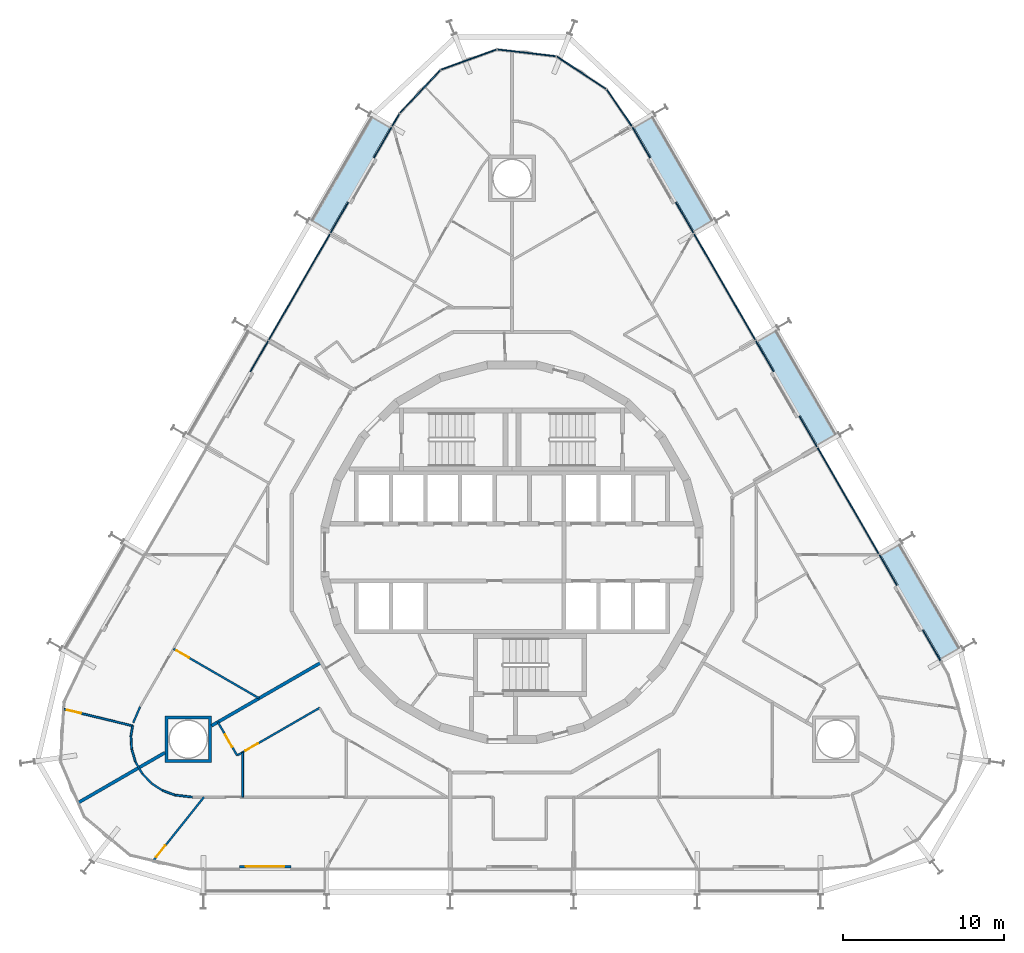
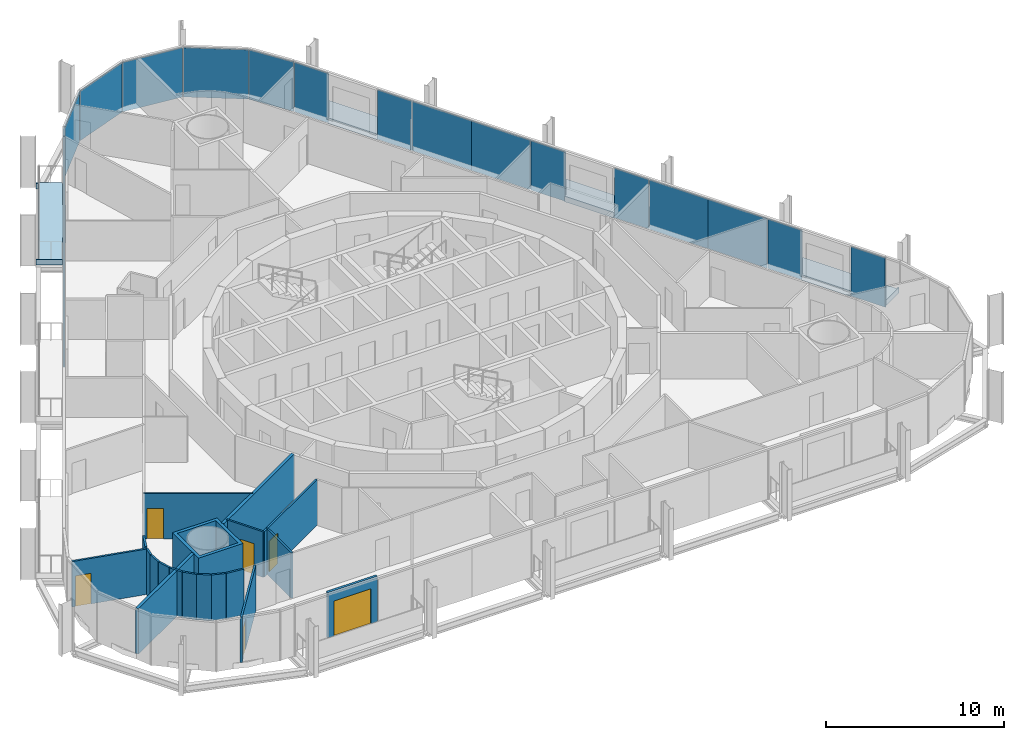
# One storey, part 12 of 20: 21 plates, 19 walls, 6 doors, 4 slabs, 6 openings, 3 elements without a shape of their own.
"""IFC4 building model written with IfcOpenShell, lengths in metres."""

from ifc_helpers import new_model, si_unit, direction, frame, frame_2d, origin, origin_2d, place, context, subcontext, project, spatial, polyline, rectangle, outline, extrude, material, layer, layer_set, type_object, element, fill, aggregate, save


model = new_model("IFC4")

# Units and contexts
model_context = context("Model", 3, precision=1e-05, world=origin(), true_north=direction((0.0, 1.0)))
body_context = subcontext(model_context, "Body", "Model", "MODEL_VIEW")
ifc_project = project(units=[si_unit("LENGTHUNIT", "METRE"), si_unit("AREAUNIT", "SQUARE_METRE"), si_unit("VOLUMEUNIT", "CUBIC_METRE"), si_unit("PLANEANGLEUNIT", "RADIAN"), si_unit("MASSUNIT", "GRAM", prefix="KILO")], contexts=[model_context])

# Site, building, storey
site_placement = place(None, origin())
site = spatial("IfcSite", under=ifc_project, at=site_placement, CompositionType="ELEMENT")
building_placement = place(site_placement, origin())
building = spatial("IfcBuilding", under=site, at=building_placement, Name="Spindle Arch Residences", CompositionType="ELEMENT")
storey_placement = place(building_placement, frame((0.0, 0.0, 41.89990234375)))
storey = spatial("IfcBuildingStorey", under=building, at=storey_placement, Name="L08", CompositionType="ELEMENT", Elevation=41.89990234375)

# Slabs
ifc_material_1 = material(Name="Concrete C40/50", Category="concrete")
ifc_layer_1 = layer(ifc_material_1, 0.3798828125)
ifc_layer_set_1 = layer_set([ifc_layer_1], Name="Balcony slab 380")
slab_type = type_object("IfcSlabType", Name="Balcony slab 380", PredefinedType="FLOOR", material=ifc_layer_set_1)
slab_1_placement = place(storey_placement, frame((0.0, 0.0, -0.3798828125)))
element("IfcSlab", 1, at=slab_1_placement, inside=storey, type_object=slab_type, Name="Balcony L08 bay 6", PredefinedType="FLOOR", context=body_context, shape_type="SweptSolid", body=[
    extrude(outline(polyline([(27.991455078125, -5.9228515625), (27.9541015625, -5.85791015625), (27.82421875, -5.93310546875), (24.134033203125, 0.458251953125), (24.263916015625, 0.533447265625), (24.2265625, 0.598388671875), (22.93603515625, -0.146728515625), (24.0185546875, -2.021728515625), (23.880126953125, -2.1015625), (25.47998046875, -4.873046875), (25.61865234375, -4.79296875), (26.701171875, -6.66796875), (27.991455078125, -5.9228515625)])), origin(), (0.0, 0.0, 1.0), 0.3798828125),
])
slab_2_placement = place(storey_placement, frame((0.0, 0.0, -0.3798828125)))
element("IfcSlab", 2, at=slab_2_placement, inside=storey, type_object=slab_type, Name="Balcony L08 bay 8", PredefinedType="FLOOR", context=body_context, shape_type="SweptSolid", body=[
    extrude(outline(polyline([(20.3115234375, 7.37939453125), (20.27392578125, 7.4443359375), (20.14404296875, 7.369384765625), (16.4541015625, 13.760498046875), (16.583984375, 13.835693359375), (16.54638671875, 13.900634765625), (15.256103515625, 13.155517578125), (16.338623046875, 11.280517578125), (16.199951171875, 11.20068359375), (17.800048828125, 8.42919921875), (17.9384765625, 8.50927734375), (19.02099609375, 6.63427734375), (20.3115234375, 7.37939453125)])), origin(), (0.0, 0.0, 1.0), 0.3798828125),
])
slab_3_placement = place(storey_placement, frame((0.0, 0.0, -0.3798828125)))
element("IfcSlab", 3, at=slab_3_placement, inside=storey, type_object=slab_type, Name="Balcony L08 bay 10", PredefinedType="FLOOR", context=body_context, shape_type="SweptSolid", body=[
    extrude(outline(polyline([(12.63134765625, 20.681640625), (12.593994140625, 20.74658203125), (12.4638671875, 20.671630859375), (8.77392578125, 27.06298828125), (8.90380859375, 27.137939453125), (8.866455078125, 27.202880859375), (7.575927734375, 26.457763671875), (8.658447265625, 24.582763671875), (8.52001953125, 24.5029296875), (10.119873046875, 21.731689453125), (10.258544921875, 21.8115234375), (11.341064453125, 19.9365234375), (12.63134765625, 20.681640625)])), origin(), (0.0, 0.0, 1.0), 0.3798828125),
])
slab_4_placement = place(storey_placement, frame((0.0, 0.0, -0.3798828125)))
element("IfcSlab", 4, at=slab_4_placement, inside=storey, type_object=slab_type, Name="Balcony L08 bay 14", PredefinedType="FLOOR", context=body_context, shape_type="SweptSolid", body=[
    extrude(outline(polyline([(-8.866455078125, 27.202880859375), (-8.90380859375, 27.137939453125), (-8.77392578125, 27.06298828125), (-12.4638671875, 20.671630859375), (-12.593994140625, 20.74658203125), (-12.63134765625, 20.681640625), (-11.341064453125, 19.9365234375), (-10.258544921875, 21.8115234375), (-10.119873046875, 21.731689453125), (-8.52001953125, 24.5029296875), (-8.658447265625, 24.582763671875), (-7.575927734375, 26.457763671875), (-8.866455078125, 27.202880859375)])), origin(), (0.0, 0.0, 1.0), 0.3798828125),
])

# Curtain wall, plates
ifc_material_2 = material(Name="Aluminium bronze unitised frame with tinted glass", Category="aluminium")
ifc_layer_2 = layer(ifc_material_2, 0.159912109375)
ifc_layer_set_2 = layer_set([ifc_layer_2], Name="CW-C typical residential unitised wall")
curtain_wall_type_1 = type_object("IfcCurtainWallType", Name="CW-C typical residential unitised wall", PredefinedType="NOTDEFINED", material=ifc_layer_set_2)
curtain_wall_1_placement = place(storey_placement, origin())
curtain_wall_1 = element("IfcCurtainWall", 5, at=curtain_wall_1_placement, inside=storey, type_object=curtain_wall_type_1, Name="CW-C L08 run 2", PredefinedType="NOTDEFINED")
ifc_material_3 = material(Name="Tinted double glazing over non-combustible spandrel zone with 0.55 mm stainless steel cavity fire stop (K0)", Category="steel")
ifc_layer_3 = layer(ifc_material_3, 0.070068359375)
ifc_layer_set_3 = layer_set([ifc_layer_3], Name="Unitised glass panel with spandrel zone and stainless cavity fire stop")
plate_type = type_object("IfcPlateType", Name="Unitised glass panel with spandrel zone and stainless cavity fire stop", PredefinedType="CURTAIN_PANEL", material=ifc_layer_set_3)
plate_1_placement = place(storey_placement, frame((26.101806640625, -5.7900390625, -0.3798828125), z_axis=(0.0, 0.0, 1.0), x_axis=(-0.5, 0.866025403784, 0.0)))
plate_1 = element("IfcPlate", 6, at=plate_1_placement, type_object=plate_type, Name="CW-C unit 05L", PredefinedType="CURTAIN_PANEL", context=body_context, shape_type="SweptSolid", body=[
    extrude(rectangle(XDim=2.2099609375, YDim=0.070068359375, at=origin_2d()), origin(), (0.0, 0.0, 1.0), 3.3798828125),
])
plate_2_placement = place(storey_placement, frame((23.396728515625, -1.104736328125, -0.3798828125), z_axis=(0.0, 0.0, 1.0), x_axis=(-0.5, 0.866025403784, 0.0)))
plate_2 = element("IfcPlate", 7, at=plate_2_placement, type_object=plate_type, Name="CW-C unit 05R", PredefinedType="CURTAIN_PANEL", context=body_context, shape_type="SweptSolid", body=[
    extrude(rectangle(XDim=2.2099609375, YDim=0.070068359375, at=origin_2d()), origin(), (0.0, 0.0, 1.0), 3.3798828125),
])
plate_3_placement = place(storey_placement, frame((21.86181640625, 1.553955078125, -0.3798828125), z_axis=(0.0, 0.0, 1.0), x_axis=(-0.5, 0.866025403784, 0.0)))
plate_3 = element("IfcPlate", 8, at=plate_3_placement, type_object=plate_type, Name="CW-C unit 06A", PredefinedType="CURTAIN_PANEL", context=body_context, shape_type="SweptSolid", body=[
    extrude(rectangle(XDim=3.81005859375, YDim=0.070068359375, at=origin_2d()), origin(), (0.0, 0.0, 1.0), 3.3798828125),
])
plate_4_placement = place(storey_placement, frame((19.956787109375, 4.853515625, -0.3798828125), z_axis=(0.0, 0.0, 1.0), x_axis=(-0.5, 0.866025403784, 0.0)))
plate_4 = element("IfcPlate", 9, at=plate_4_placement, type_object=plate_type, Name="CW-C unit 06B", PredefinedType="CURTAIN_PANEL", context=body_context, shape_type="SweptSolid", body=[
    extrude(rectangle(XDim=3.81005859375, YDim=0.070068359375, at=origin_2d()), origin(), (0.0, 0.0, 1.0), 3.3798828125),
])
plate_5_placement = place(storey_placement, frame((18.421875, 7.512451171875, -0.3798828125), z_axis=(0.0, 0.0, 1.0), x_axis=(-0.5, 0.866025403784, 0.0)))
plate_5 = element("IfcPlate", 10, at=plate_5_placement, type_object=plate_type, Name="CW-C unit 07L", PredefinedType="CURTAIN_PANEL", context=body_context, shape_type="SweptSolid", body=[
    extrude(rectangle(XDim=2.2099609375, YDim=0.070068359375, at=origin_2d()), origin(), (0.0, 0.0, 1.0), 3.3798828125),
])
plate_6_placement = place(storey_placement, frame((15.716796875, 12.197509765625, -0.3798828125), z_axis=(0.0, 0.0, 1.0), x_axis=(-0.5, 0.866025403784, 0.0)))
plate_6 = element("IfcPlate", 11, at=plate_6_placement, type_object=plate_type, Name="CW-C unit 07R", PredefinedType="CURTAIN_PANEL", context=body_context, shape_type="SweptSolid", body=[
    extrude(rectangle(XDim=2.2099609375, YDim=0.070068359375, at=origin_2d()), origin(), (0.0, 0.0, 1.0), 3.3798828125),
])
plate_7_placement = place(storey_placement, frame((14.181640625, 14.856201171875, -0.3798828125), z_axis=(0.0, 0.0, 1.0), x_axis=(-0.5, 0.866025403784, 0.0)))
plate_7 = element("IfcPlate", 12, at=plate_7_placement, type_object=plate_type, Name="CW-C unit 08A", PredefinedType="CURTAIN_PANEL", context=body_context, shape_type="SweptSolid", body=[
    extrude(rectangle(XDim=3.81005859375, YDim=0.070068359375, at=origin_2d()), origin(), (0.0, 0.0, 1.0), 3.3798828125),
])
plate_8_placement = place(storey_placement, frame((12.27685546875, 18.156005859375, -0.3798828125), z_axis=(0.0, 0.0, 1.0), x_axis=(-0.5, 0.866025403784, 0.0)))
plate_8 = element("IfcPlate", 13, at=plate_8_placement, type_object=plate_type, Name="CW-C unit 08B", PredefinedType="CURTAIN_PANEL", context=body_context, shape_type="SweptSolid", body=[
    extrude(rectangle(XDim=3.81005859375, YDim=0.070068359375, at=origin_2d()), origin(), (0.0, 0.0, 1.0), 3.3798828125),
])
plate_9_placement = place(storey_placement, frame((10.74169921875, 20.814697265625, -0.3798828125), z_axis=(0.0, 0.0, 1.0), x_axis=(-0.5, 0.866025403784, 0.0)))
plate_9 = element("IfcPlate", 14, at=plate_9_placement, type_object=plate_type, Name="CW-C unit 09L", PredefinedType="CURTAIN_PANEL", context=body_context, shape_type="SweptSolid", body=[
    extrude(rectangle(XDim=2.2099609375, YDim=0.070068359375, at=origin_2d()), origin(), (0.0, 0.0, 1.0), 3.3798828125),
])
plate_10_placement = place(storey_placement, frame((8.03662109375, 25.499755859375, -0.3798828125), z_axis=(0.0, 0.0, 1.0), x_axis=(-0.5, 0.866025403784, 0.0)))
plate_10 = element("IfcPlate", 15, at=plate_10_placement, type_object=plate_type, Name="CW-C unit 09R", PredefinedType="CURTAIN_PANEL", context=body_context, shape_type="SweptSolid", body=[
    extrude(rectangle(XDim=2.2099609375, YDim=0.070068359375, at=origin_2d()), origin(), (0.0, 0.0, 1.0), 3.3798828125),
])
aggregate(curtain_wall_1, [plate_1, plate_2, plate_3, plate_4, plate_5, plate_6, plate_7, plate_8, plate_9, plate_10])

ifc_material_4 = material(Name="Aluminium bronze unitised frame with tinted glass", Category="aluminium")
ifc_layer_4 = layer(ifc_material_4, 0.159912109375)
ifc_layer_set_4 = layer_set([ifc_layer_4], Name="CW-D corner wall on the fillet arcs")
curtain_wall_type_2 = type_object("IfcCurtainWallType", Name="CW-D corner wall on the fillet arcs", PredefinedType="NOTDEFINED", material=ifc_layer_set_4)
curtain_wall_2_placement = place(storey_placement, origin())
curtain_wall_2 = element("IfcCurtainWall", 16, at=curtain_wall_2_placement, inside=storey, type_object=curtain_wall_type_2, Name="CW-D L08 run 3", PredefinedType="NOTDEFINED")
plate_11_placement = place(storey_placement, frame((6.673095703125, 27.643798828125, -0.3798828125), z_axis=(0.0, 0.0, 1.0), x_axis=(-0.565500718711, 0.824747802142, 0.0)))
plate_11 = element("IfcPlate", 17, at=plate_11_placement, type_object=plate_type, Name="CW-D unit 00", PredefinedType="CURTAIN_PANEL", context=body_context, shape_type="SweptSolid", body=[
    extrude(rectangle(XDim=2.755126953125, YDim=0.070068359375, at=origin_2d()), origin(), (0.0, 0.0, 1.0), 3.3798828125),
])
plate_12_placement = place(storey_placement, frame((4.3203125, 29.82861328125, -0.3798828125), z_axis=(0.0, 0.0, 1.0), x_axis=(-0.835487811704, 0.549508977628, 0.0)))
plate_12 = element("IfcPlate", 18, at=plate_12_placement, type_object=plate_type, Name="CW-D unit 01", PredefinedType="CURTAIN_PANEL", context=body_context, shape_type="SweptSolid", body=[
    extrude(rectangle(XDim=3.666748046875, YDim=0.070068359375, at=origin_2d()), origin(), (0.0, 0.0, 1.0), 3.3798828125),
])
plate_13_placement = place(storey_placement, frame((0.912841796875, 31.06884765625, -0.3798828125), z_axis=(0.0, 0.0, 1.0), x_axis=(-0.993238357591, 0.116092915414, 0.0)))
plate_13 = element("IfcPlate", 19, at=plate_13_placement, type_object=plate_type, Name="CW-D unit 02", PredefinedType="CURTAIN_PANEL", context=body_context, shape_type="SweptSolid", body=[
    extrude(rectangle(XDim=3.666748046875, YDim=0.070068359375, at=origin_2d()), origin(), (0.0, 0.0, 1.0), 3.3798828125),
])
plate_14_placement = place(storey_placement, frame((-2.68896484375, 30.64794921875, -0.3798828125), z_axis=(0.0, 0.0, 1.0), x_axis=(-0.939692621437, -0.342020141538, 0.0)))
plate_14 = element("IfcPlate", 20, at=plate_14_placement, type_object=plate_type, Name="CW-D unit 03", PredefinedType="CURTAIN_PANEL", context=body_context, shape_type="SweptSolid", body=[
    extrude(rectangle(XDim=3.666748046875, YDim=0.070068359375, at=origin_2d()), origin(), (0.0, 0.0, 1.0), 3.3798828125),
])
plate_15_placement = place(storey_placement, frame((-5.71875, 28.6552734375, -0.3798828125), z_axis=(0.0, 0.0, 1.0), x_axis=(-0.686241639236, -0.727373640284, 0.0)))
plate_15 = element("IfcPlate", 21, at=plate_15_placement, type_object=plate_type, Name="CW-D unit 04", PredefinedType="CURTAIN_PANEL", context=body_context, shape_type="SweptSolid", body=[
    extrude(rectangle(XDim=3.666748046875, YDim=0.070068359375, at=origin_2d()), origin(), (0.0, 0.0, 1.0), 3.3798828125),
])
plate_16_placement = place(storey_placement, frame((-7.2333984375, 26.891357421875, -0.3798828125), z_axis=(0.0, 0.0, 1.0), x_axis=(-0.5, -0.866025403784, 0.0)))
plate_16 = element("IfcPlate", 22, at=plate_16_placement, type_object=plate_type, Name="CW-D unit 05", PredefinedType="CURTAIN_PANEL", context=body_context, shape_type="SweptSolid", body=[
    extrude(rectangle(XDim=0.88330078125, YDim=0.070068359375, at=origin_2d()), origin(), (0.0, 0.0, 1.0), 3.3798828125),
])
aggregate(curtain_wall_2, [plate_11, plate_12, plate_13, plate_14, plate_15, plate_16])

curtain_wall_3_placement = place(storey_placement, origin())
curtain_wall_3 = element("IfcCurtainWall", 23, at=curtain_wall_3_placement, inside=storey, type_object=curtain_wall_type_1, Name="CW-C L08 run 4", PredefinedType="NOTDEFINED")
plate_17_placement = place(storey_placement, frame((-8.03662109375, 25.499755859375, -0.3798828125), z_axis=(0.0, 0.0, 1.0), x_axis=(-0.5, -0.866025403784, 0.0)))
plate_17 = element("IfcPlate", 24, at=plate_17_placement, type_object=plate_type, Name="CW-C unit 13L", PredefinedType="CURTAIN_PANEL", context=body_context, shape_type="SweptSolid", body=[
    extrude(rectangle(XDim=2.2099609375, YDim=0.070068359375, at=origin_2d()), origin(), (0.0, 0.0, 1.0), 3.3798828125),
])
plate_18_placement = place(storey_placement, frame((-10.74169921875, 20.814697265625, -0.3798828125), z_axis=(0.0, 0.0, 1.0), x_axis=(-0.5, -0.866025403784, 0.0)))
plate_18 = element("IfcPlate", 25, at=plate_18_placement, type_object=plate_type, Name="CW-C unit 13R", PredefinedType="CURTAIN_PANEL", context=body_context, shape_type="SweptSolid", body=[
    extrude(rectangle(XDim=2.2099609375, YDim=0.070068359375, at=origin_2d()), origin(), (0.0, 0.0, 1.0), 3.3798828125),
])
plate_19_placement = place(storey_placement, frame((-12.27685546875, 18.156005859375, -0.3798828125), z_axis=(0.0, 0.0, 1.0), x_axis=(-0.5, -0.866025403784, 0.0)))
plate_19 = element("IfcPlate", 26, at=plate_19_placement, type_object=plate_type, Name="CW-C unit 14A", PredefinedType="CURTAIN_PANEL", context=body_context, shape_type="SweptSolid", body=[
    extrude(rectangle(XDim=3.81005859375, YDim=0.070068359375, at=origin_2d()), origin(), (0.0, 0.0, 1.0), 3.3798828125),
])
plate_20_placement = place(storey_placement, frame((-14.181640625, 14.856201171875, -0.3798828125), z_axis=(0.0, 0.0, 1.0), x_axis=(-0.5, -0.866025403784, 0.0)))
plate_20 = element("IfcPlate", 27, at=plate_20_placement, type_object=plate_type, Name="CW-C unit 14B", PredefinedType="CURTAIN_PANEL", context=body_context, shape_type="SweptSolid", body=[
    extrude(rectangle(XDim=3.81005859375, YDim=0.070068359375, at=origin_2d()), origin(), (0.0, 0.0, 1.0), 3.3798828125),
])
plate_21_placement = place(storey_placement, frame((-15.716796875, 12.197509765625, -0.3798828125), z_axis=(0.0, 0.0, 1.0), x_axis=(-0.5, -0.866025403784, 0.0)))
plate_21 = element("IfcPlate", 28, at=plate_21_placement, type_object=plate_type, Name="CW-C unit 15L", PredefinedType="CURTAIN_PANEL", context=body_context, shape_type="SweptSolid", body=[
    extrude(rectangle(XDim=2.2099609375, YDim=0.070068359375, at=origin_2d()), origin(), (0.0, 0.0, 1.0), 3.3798828125),
])
aggregate(curtain_wall_3, [plate_17, plate_18, plate_19, plate_20, plate_21])

# Wall, opening, door
ifc_material_5 = material(Name="Plasterboard on steel studs", Category="steel")
ifc_layer_5 = layer(ifc_material_5, 0.1201171875)
ifc_layer_set_5 = layer_set([ifc_layer_5], Name="Flat partition 120")
wall_type_1 = type_object("IfcWallType", Name="Flat partition 120", PredefinedType="PARTITIONING", material=ifc_layer_set_5)
wall_1_placement = place(storey_placement, frame((-21.05517578125, -6.0087890625, 0.0), z_axis=(0.0, 0.0, 1.0), x_axis=(0.866030172657, -0.49999173998, 0.0)))
wall_1 = element("IfcWall", 29, at=wall_1_placement, inside=storey, type_object=wall_type_1, Name="Flat partition R1A1-W063", PredefinedType="PARTITIONING", context=body_context, shape_type="SweptSolid", body=[
    extrude(rectangle(XDim=6.1474609375, YDim=0.1201171875, at=frame_2d((3.07373046875, 0.0))), origin(), (0.0, 0.0, 1.0), 3.1201171875),
])
opening_1_placement = place(wall_1_placement, frame((0.199951171875, 0.0, 0.0)))
opening_1 = element("IfcOpeningElement", 30, at=opening_1_placement, cuts=wall_1, Name="Opening R1A1-ID14", PredefinedType="OPENING", context=body_context, shape_type="SweptSolid", body=[
    extrude(rectangle(XDim=0.89990234375, YDim=2.10009765625, at=frame_2d((0.449951171875, 1.050048828125))), frame((0.0, 0.070068359375, 0.0), z_axis=(0.0, -1.0, 0.0), x_axis=(1.0, 0.0, 0.0)), (0.0, 0.0, 1.0), 0.14013671875),
])
ifc_material_6 = material(Name="Timber door set", Category="wood")
door_type_1 = type_object("IfcDoorType", Name="Room door 900x2100", OperationType="NOTDEFINED", PredefinedType="DOOR", material=ifc_material_6)
door_1_placement = place(opening_1_placement, origin())
door_1 = element("IfcDoor", 31, at=door_1_placement, inside=storey, type_object=door_type_1, Name="Room door R1A1-ID14", OperationType="SINGLE_SWING_RIGHT", OverallHeight=2.10009765625, OverallWidth=0.89990234375, PredefinedType="DOOR", context=body_context, shape_type="SweptSolid", body=[
    extrude(rectangle(XDim=0.89990234375, YDim=2.10009765625, at=frame_2d((0.449951171875, 1.050048828125))), frame((0.0, 0.02490234375, 0.0), z_axis=(0.0, -1.0, 0.0), x_axis=(1.0, 0.0, 0.0)), (0.0, 0.0, 1.0), 0.050048828125),
])
fill(opening_1, door_1)

# Wall
wall_2_placement = place(storey_placement, frame((-23.563720703125, -10.60595703125, 0.0), z_axis=(0.0, 0.0, 1.0), x_axis=(0.396195073027, 0.918166359713, 0.0)))
element("IfcWall", 32, at=wall_2_placement, inside=storey, type_object=wall_type_1, Name="Flat partition R1A1-W066", PredefinedType="PARTITIONING", context=body_context, shape_type="SweptSolid", body=[
    extrude(rectangle(XDim=1.0869140625, YDim=0.1201171875, at=frame_2d((0.54345703125, 0.0))), origin(), (0.0, 0.0, 1.0), 3.1201171875),
])

# Wall, opening, door
wall_3_placement = place(storey_placement, frame((-27.8828125, -9.76220703125, 0.0), z_axis=(0.0, 0.0, 1.0), x_axis=(0.972097015458, -0.234579181809, 0.0)))
wall_3 = element("IfcWall", 33, at=wall_3_placement, inside=storey, type_object=wall_type_1, Name="Flat partition R1A1-W067", PredefinedType="PARTITIONING", context=body_context, shape_type="SweptSolid", body=[
    extrude(rectangle(XDim=4.40869140625, YDim=0.1201171875, at=frame_2d((2.204345703125, 0.0))), origin(), (0.0, 0.0, 1.0), 3.1201171875),
])
opening_2_placement = place(wall_3_placement, frame((0.199951171875, 0.0, 0.0)))
opening_2 = element("IfcOpeningElement", 34, at=opening_2_placement, cuts=wall_3, Name="Opening R1A1-ID16", PredefinedType="OPENING", context=body_context, shape_type="SweptSolid", body=[
    extrude(rectangle(XDim=0.89990234375, YDim=2.10009765625, at=frame_2d((0.449951171875, 1.050048828125))), frame((0.0, 0.070068359375, 0.0), z_axis=(0.0, -1.0, 0.0), x_axis=(1.0, 0.0, 0.0)), (0.0, 0.0, 1.0), 0.14013671875),
])
door_2_placement = place(opening_2_placement, origin())
door_2 = element("IfcDoor", 35, at=door_2_placement, inside=storey, type_object=door_type_1, Name="Room door R1A1-ID16", OperationType="SINGLE_SWING_RIGHT", OverallHeight=2.10009765625, OverallWidth=0.89990234375, PredefinedType="DOOR", context=body_context, shape_type="SweptSolid", body=[
    extrude(rectangle(XDim=0.89990234375, YDim=2.10009765625, at=frame_2d((0.449951171875, 1.050048828125))), frame((0.0, 0.02490234375, 0.0), z_axis=(0.0, -1.0, 0.0), x_axis=(1.0, 0.0, 0.0)), (0.0, 0.0, 1.0), 0.050048828125),
])
fill(opening_2, door_2)

# Walls
wall_4_placement = place(storey_placement, frame((-23.59716796875, -10.79638671875, 0.0), z_axis=(0.0, 0.0, 1.0), x_axis=(-0.173610040386, -0.984814476882, 0.0)))
element("IfcWall", 36, at=wall_4_placement, inside=storey, type_object=wall_type_1, Name="Flat partition R1A1-W068", PredefinedType="PARTITIONING", context=body_context, shape_type="SweptSolid", body=[
    extrude(rectangle(XDim=0.6357421875, YDim=0.1201171875, at=frame_2d((0.31787109375, 0.0))), origin(), (0.0, 0.0, 1.0), 3.1201171875),
])
wall_5_placement = place(storey_placement, frame((-23.70751953125, -11.42236328125, 0.0), z_axis=(0.0, 0.0, 1.0), x_axis=(0.058031280246, -0.998314765248, 0.0)))
element("IfcWall", 37, at=wall_5_placement, inside=storey, type_object=wall_type_1, Name="Flat partition R1A1-W069", PredefinedType="PARTITIONING", context=body_context, shape_type="SweptSolid", body=[
    extrude(rectangle(XDim=0.828857421875, YDim=0.1201171875, at=frame_2d((0.41455078125, 0.0))), origin(), (0.0, 0.0, 1.0), 3.1201171875),
])
for number, where, z_axis, x_axis, name in (
    (38, (-23.659423828125, -12.249755859375, 0.0), (0.0, 0.0, 1.0), (0.286834510868, -0.957980147694, 0.0), "Flat partition R1A1-W070"),
    (39, (-23.421630859375, -13.0439453125, 0.0), (0.0, 0.0, 1.0), (0.500002839747, -0.86602376425, 0.0), "Flat partition R1A1-W071"),
):
    element("IfcWall", number, at=place(storey_placement, frame(where, z_axis=z_axis, x_axis=x_axis)), inside=storey, type_object=wall_type_1, Name=name, PredefinedType="PARTITIONING", context=body_context, shape_type="SweptSolid", body=[
        extrude(rectangle(XDim=0.8291015625, YDim=0.1201171875, at=frame_2d((0.41455078125, 0.0))), origin(), (0.0, 0.0, 1.0), 3.1201171875),
    ])

# Wall, opening, door
wall_6_placement = place(storey_placement, frame((-18.297607421875, -10.564208984375, 0.0), z_axis=(0.0, 0.0, 1.0), x_axis=(0.500048565365, -0.865997362742, 0.0)))
wall_6 = element("IfcWall", 40, at=wall_6_placement, inside=storey, type_object=wall_type_1, Name="Flat partition R1A1-W072", PredefinedType="PARTITIONING", context=body_context, shape_type="SweptSolid", body=[
    extrude(rectangle(XDim=2.397705078125, YDim=0.1201171875, at=frame_2d((1.19873046875, 0.0))), origin(), (0.0, 0.0, 1.0), 3.1201171875),
])
opening_3_placement = place(wall_6_placement, frame((0.89990234375, 0.0, 0.0)))
opening_3 = element("IfcOpeningElement", 41, at=opening_3_placement, cuts=wall_6, Name="Opening R1A1-ID18", PredefinedType="OPENING", context=body_context, shape_type="SweptSolid", body=[
    extrude(rectangle(XDim=0.89990234375, YDim=2.10009765625, at=frame_2d((0.449951171875, 1.050048828125))), frame((0.0, 0.070068359375, 0.0), z_axis=(0.0, -1.0, 0.0), x_axis=(1.0, 0.0, 0.0)), (0.0, 0.0, 1.0), 0.14013671875),
])
door_3_placement = place(opening_3_placement, origin())
door_3 = element("IfcDoor", 42, at=door_3_placement, inside=storey, type_object=door_type_1, Name="Room door R1A1-ID18", OperationType="SINGLE_SWING_LEFT", OverallHeight=2.10009765625, OverallWidth=0.89990234375, PredefinedType="DOOR", context=body_context, shape_type="SweptSolid", body=[
    extrude(rectangle(XDim=0.89990234375, YDim=2.10009765625, at=frame_2d((0.449951171875, 1.050048828125))), frame((0.0, 0.02490234375, 0.0), z_axis=(0.0, -1.0, 0.0), x_axis=(1.0, 0.0, 0.0)), (0.0, 0.0, 1.0), 0.050048828125),
])
fill(opening_3, door_3)

wall_7_placement = place(storey_placement, frame((-17.0986328125, -12.640625, 0.0), z_axis=(0.0, 0.0, 1.0), x_axis=(0.866027165828, 0.499996948039, 0.0)))
wall_7 = element("IfcWall", 43, at=wall_7_placement, inside=storey, type_object=wall_type_1, Name="Flat partition R1A1-W073", PredefinedType="PARTITIONING", context=body_context, shape_type="SweptSolid", body=[
    extrude(rectangle(XDim=5.92822265625, YDim=0.1201171875, at=frame_2d((2.964111328125, 0.0))), origin(), (0.0, 0.0, 1.0), 3.1201171875),
])
opening_4_placement = place(wall_7_placement, frame((0.59521484375, 0.0, 0.0)))
opening_4 = element("IfcOpeningElement", 44, at=opening_4_placement, cuts=wall_7, Name="Opening R1A1-ID19", PredefinedType="OPENING", context=body_context, shape_type="SweptSolid", body=[
    extrude(rectangle(XDim=0.89990234375, YDim=2.10009765625, at=frame_2d((0.449951171875, 1.050048828125))), frame((0.0, 0.070068359375, 0.0), z_axis=(0.0, -1.0, 0.0), x_axis=(1.0, 0.0, 0.0)), (0.0, 0.0, 1.0), 0.14013671875),
])
door_4_placement = place(opening_4_placement, origin())
door_4 = element("IfcDoor", 45, at=door_4_placement, inside=storey, type_object=door_type_1, Name="Room door R1A1-ID19", OperationType="SINGLE_SWING_LEFT", OverallHeight=2.10009765625, OverallWidth=0.89990234375, PredefinedType="DOOR", context=body_context, shape_type="SweptSolid", body=[
    extrude(rectangle(XDim=0.89990234375, YDim=2.10009765625, at=frame_2d((0.449951171875, 1.050048828125))), frame((0.0, 0.02490234375, 0.0), z_axis=(0.0, -1.0, 0.0), x_axis=(1.0, 0.0, 0.0)), (0.0, 0.0, 1.0), 0.050048828125),
])
fill(opening_4, door_4)

# Walls
wall_8_placement = place(storey_placement, frame((-19.887451171875, -15.22998046875, 0.0), z_axis=(0.0, 0.0, 1.0), x_axis=(-0.993231641151, 0.116150363826, 0.0)))
element("IfcWall", 46, at=wall_8_placement, inside=storey, type_object=wall_type_1, Name="Flat partition R1A1-W077", PredefinedType="PARTITIONING", context=body_context, shape_type="SweptSolid", body=[
    extrude(rectangle(XDim=1.086669921875, YDim=0.1201171875, at=frame_2d((0.54345703125, 0.0))), origin(), (0.0, 0.0, 1.0), 3.1201171875),
])
for number, where, z_axis, x_axis, name in (
    (47, (-20.966796875, -15.103759765625, 0.0), (0.0, 0.0, 1.0), (-0.939733220174, 0.341908576817, 0.0), "Flat partition R1A1-W078"),
    (48, (-21.745849609375, -14.8203125, 0.0), (0.0, 0.0, 1.0), (-0.835477570013, 0.549524549046, 0.0), "Flat partition R1A1-W079"),
):
    element("IfcWall", number, at=place(storey_placement, frame(where, z_axis=z_axis, x_axis=x_axis)), inside=storey, type_object=wall_type_1, Name=name, PredefinedType="PARTITIONING", context=body_context, shape_type="SweptSolid", body=[
        extrude(rectangle(XDim=0.8291015625, YDim=0.1201171875, at=frame_2d((0.41455078125, 0.0))), origin(), (0.0, 0.0, 1.0), 3.1201171875),
    ])
wall_9_placement = place(storey_placement, frame((-22.4384765625, -14.36474609375, 0.0), z_axis=(0.0, 0.0, 1.0), x_axis=(-0.686182189596, 0.727429723535, 0.0)))
element("IfcWall", 49, at=wall_9_placement, inside=storey, type_object=wall_type_1, Name="Flat partition R1A1-W080", PredefinedType="PARTITIONING", context=body_context, shape_type="SweptSolid", body=[
    extrude(rectangle(XDim=0.82861328125, YDim=0.1201171875, at=frame_2d((0.414306640625, 0.0))), origin(), (0.0, 0.0, 1.0), 3.1201171875),
])

# Wall, opening, door
wall_10_placement = place(storey_placement, frame((-22.38134765625, -19.271240234375, 0.0), z_axis=(0.0, 0.0, 1.0), x_axis=(0.623126488551, 0.782121077114, 0.0)))
wall_10 = element("IfcWall", 50, at=wall_10_placement, inside=storey, type_object=wall_type_1, Name="Flat partition R1A1-W081", PredefinedType="PARTITIONING", context=body_context, shape_type="SweptSolid", body=[
    extrude(rectangle(XDim=5.1669921875, YDim=0.1201171875, at=frame_2d((2.58349609375, 0.0))), origin(), (0.0, 0.0, 1.0), 3.1201171875),
])
opening_5_placement = place(wall_10_placement, frame((0.39990234375, 0.0, 0.0)))
opening_5 = element("IfcOpeningElement", 51, at=opening_5_placement, cuts=wall_10, Name="Opening R1A1-ID21", PredefinedType="OPENING", context=body_context, shape_type="SweptSolid", body=[
    extrude(rectangle(XDim=0.89990234375, YDim=2.10009765625, at=frame_2d((0.449951171875, 1.050048828125))), frame((0.0, 0.070068359375, 0.0), z_axis=(0.0, -1.0, 0.0), x_axis=(1.0, 0.0, 0.0)), (0.0, 0.0, 1.0), 0.14013671875),
])
door_5_placement = place(opening_5_placement, origin())
door_5 = element("IfcDoor", 52, at=door_5_placement, inside=storey, type_object=door_type_1, Name="Room door R1A1-ID21", OperationType="SINGLE_SWING_LEFT", OverallHeight=2.10009765625, OverallWidth=0.89990234375, PredefinedType="DOOR", context=body_context, shape_type="SweptSolid", body=[
    extrude(rectangle(XDim=0.89990234375, YDim=2.10009765625, at=frame_2d((0.449951171875, 1.050048828125))), frame((0.0, 0.02490234375, 0.0), z_axis=(0.0, -1.0, 0.0), x_axis=(1.0, 0.0, 0.0)), (0.0, 0.0, 1.0), 0.050048828125),
])
fill(opening_5, door_5)

# Walls
wall_11_placement = place(storey_placement, frame((-16.75634765625, -15.22998046875, 0.0), z_axis=(0.0, 0.0, 1.0), x_axis=(0.0, 1.0, 0.0)))
element("IfcWall", 53, at=wall_11_placement, inside=storey, type_object=wall_type_1, Name="Flat partition R1A1-W082", PredefinedType="PARTITIONING", context=body_context, shape_type="SweptSolid", body=[
    extrude(rectangle(XDim=2.786865234375, YDim=0.1201171875, at=frame_2d((1.3935546875, 0.0))), origin(), (0.0, 0.0, 1.0), 3.1201171875),
])
ifc_material_7 = material(Name="Calcium silicate block, plastered")
ifc_layer_6 = layer(ifc_material_7, 0.199951171875)
ifc_layer_set_6 = layer_set([ifc_layer_6], Name="Flat party wall 200")
wall_type_2 = type_object("IfcWallType", Name="Flat party wall 200", PredefinedType="STANDARD", material=ifc_layer_set_6)
wall_12_placement = place(storey_placement, frame((-18.693603515625, -10.792724609375, 0.0), z_axis=(0.0, 0.0, 1.0), x_axis=(0.86603400694, 0.499985098601, 0.0)))
element("IfcWall", 54, at=wall_12_placement, inside=storey, type_object=wall_type_2, Name="Flat party wall R1A1-W022", PredefinedType="STANDARD", context=body_context, shape_type="SweptSolid", body=[
    extrude(rectangle(XDim=7.885498046875, YDim=0.199951171875, at=frame_2d((3.94287109375, 0.0))), origin(), (0.0, 0.0, 1.0), 3.1201171875),
])
wall_13_placement = place(storey_placement, frame((-27.02490234375, -15.602783203125, 0.0), z_axis=(0.0, 0.0, 1.0), x_axis=(0.866030653443, 0.499990907215, 0.0)))
element("IfcWall", 55, at=wall_13_placement, inside=storey, type_object=wall_type_2, Name="Flat party wall R1A1-W023", PredefinedType="STANDARD", context=body_context, shape_type="SweptSolid", body=[
    extrude(rectangle(XDim=6.271484375, YDim=0.199951171875, at=frame_2d((3.1357421875, 0.0))), origin(), (0.0, 0.0, 1.0), 3.1201171875),
])

# Wall, opening, door
ifc_material_8 = material(Name="Non-combustible mineral wool insulated aluminium faced external wall (K0)", Category="aluminium")
ifc_layer_7 = layer(ifc_material_8, 0.159912109375)
ifc_layer_set_7 = layer_set([ifc_layer_7], Name="Insulated external wall panel 160")
wall_type_3 = type_object("IfcWallType", Name="Insulated external wall panel 160", PredefinedType="STANDARD", material=ifc_layer_set_7)
wall_14_placement = place(storey_placement, frame((-16.960205078125, -19.5498046875, 0.0), z_axis=(0.0, 0.0, 1.0), x_axis=(1.0, 0.0, 0.0)))
wall_14 = element("IfcWall", 56, at=wall_14_placement, inside=storey, type_object=wall_type_3, Name="External wall L08 bay 22", PredefinedType="STANDARD", context=body_context, shape_type="SweptSolid", body=[
    extrude(rectangle(XDim=3.199951171875, YDim=0.159912109375, at=frame_2d((1.60009765625, 0.0))), origin(), (0.0, 0.0, 1.0), 3.1201171875),
])
opening_6_placement = place(wall_14_placement, frame((0.39990234375, 0.0, 0.0)))
opening_6 = element("IfcOpeningElement", 57, at=opening_6_placement, cuts=wall_14, Name="Opening BD22", PredefinedType="OPENING", context=body_context, shape_type="SweptSolid", body=[
    extrude(rectangle(XDim=2.39990234375, YDim=2.39990234375, at=frame_2d((1.199951171875, 1.199951171875))), frame((0.0, 0.08984375, 0.0), z_axis=(0.0, -1.0, 0.0), x_axis=(1.0, 0.0, 0.0)), (0.0, 0.0, 1.0), 0.179931640625),
])
ifc_material_9 = material(Name="Bronze aluminium frame, tinted double glazing", Category="aluminium")
door_type_2 = type_object("IfcDoorType", Name="Sliding glazed balcony door 2400x2400", OperationType="DOUBLE_DOOR_SLIDING", PredefinedType="DOOR", material=ifc_material_9)
door_6_placement = place(opening_6_placement, origin())
door_6 = element("IfcDoor", 58, at=door_6_placement, inside=storey, type_object=door_type_2, Name="Balcony door BD22", OperationType="DOUBLE_DOOR_SLIDING", OverallHeight=2.39990234375, OverallWidth=2.39990234375, PredefinedType="DOOR", context=body_context, shape_type="SweptSolid", body=[
    extrude(rectangle(XDim=2.39990234375, YDim=2.39990234375, at=frame_2d((1.199951171875, 1.199951171875))), frame((0.0, 0.02490234375, 0.0), z_axis=(0.0, -1.0, 0.0), x_axis=(1.0, 0.0, 0.0)), (0.0, 0.0, 1.0), 0.050048828125),
])
fill(opening_6, door_6)

# Wall
ifc_material_10 = material(Name="Calcium silicate block, plastered")
ifc_layer_8 = layer(ifc_material_10, 0.199951171875)
ifc_layer_set_8 = layer_set([ifc_layer_8], Name="Mega-column casing wall 200")
wall_type_4 = type_object("IfcWallType", Name="Mega-column casing wall 200", PredefinedType="STANDARD", material=ifc_layer_set_8)
wall_15_placement = place(storey_placement, origin())
element("IfcWall", 59, at=wall_15_placement, inside=storey, type_object=wall_type_4, Name="Mega-column casing wall R1A1-WC02", PredefinedType="STANDARD", context=body_context, shape_type="SweptSolid", body=[
    extrude(outline(polyline([(-18.693603515625, -10.179931640625), (-18.693603515625, -13.079833984375), (-21.593505859375, -13.079833984375), (-21.593505859375, -10.179931640625), (-18.693603515625, -10.179931640625)]), holes=[polyline([(-21.3935546875, -12.8798828125), (-18.8935546875, -12.8798828125), (-18.8935546875, -10.3798828125), (-21.3935546875, -10.3798828125), (-21.3935546875, -12.8798828125)])]), origin(), (0.0, 0.0, 1.0), 3.1201171875),
])

save(model, "model.ifc")
